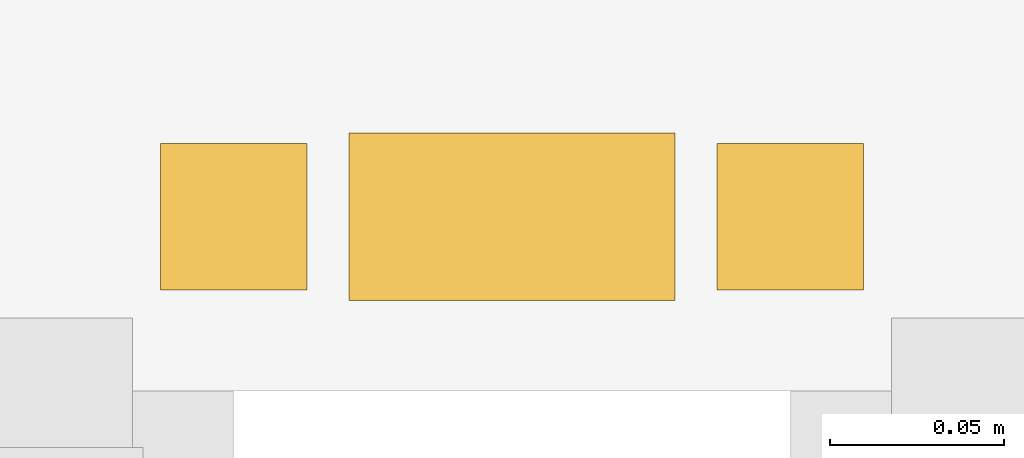
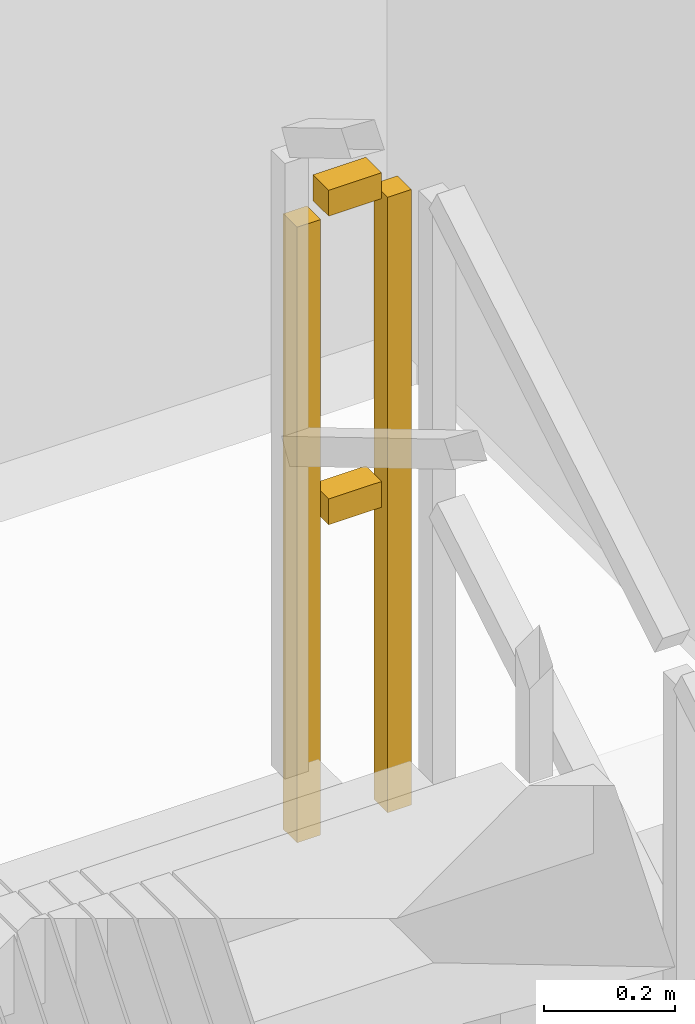
# One storey, part 17 of 17: 1 railing.
"""IFC4 building model written with IfcOpenShell, lengths in metres."""

import ifcopenshell
import ifcopenshell.guid

model = None  # the IFC model being written
_history = None  # IfcOwnerHistory: only IFC2X3 demands one
_inside = {}  # id of a spatial element -> (the spatial element, [elements in it])
_under = {}  # id of a project, library or spatial element -> (it, [spatial elements below it])
_declared = {}  # id of a project -> (the project, [libraries it declares])
_typed = {}  # id of a type object -> (the type object, [elements of that type])
_made_of = {}  # id of a material, layer set ... -> (it, [elements and type objects made of it])


def new_model(schema):
    """Start an empty IFC model of exactly this schema.

    Asked for "IFC4X3", IfcOpenShell would pick the latest addendum, in which some entities
    have other attributes; the version numbers below select the first issue.
    IFC2X3 requires an IfcOwnerHistory on every rooted entity: one is made here for all.
    """
    global model, _history
    if schema == "IFC4X3":
        model = ifcopenshell.file(schema_version=(4, 3, 0, 0))
    else:
        model = ifcopenshell.file(schema=schema)
    _inside.clear()
    _under.clear()
    _declared.clear()
    _typed.clear()
    _made_of.clear()
    _history = None
    if model.schema == "IFC2X3":
        org = make("IfcOrganization", Name="unknown")
        user = make(
            "IfcPersonAndOrganization",
            ThePerson=make("IfcPerson", FamilyName="unknown"),
            TheOrganization=org,
        )
        app = make(
            "IfcApplication",
            ApplicationDeveloper=org,
            Version="unknown",
            ApplicationFullName="unknown",
            ApplicationIdentifier="unknown",
        )
        _history = make(
            "IfcOwnerHistory",
            OwningUser=user,
            OwningApplication=app,
            ChangeAction="ADDED",
            CreationDate=0,
        )
    return model


def make(cls, **values):
    """One entity of the class cls with the attributes given. An attribute that is None is left unset."""
    return model.create_entity(
        cls, **{name: value for name, value in values.items() if value is not None}
    )


def rooted(cls, **values):
    """An entity with a GlobalId (a new one), such as an element, a storey or a relation."""
    return make(cls, GlobalId=ifcopenshell.guid.new(), OwnerHistory=_history, **values)


def si_unit(unit_type, name, prefix=None):
    """IfcSIUnit, for example si_unit("LENGTHUNIT", "METRE", prefix="MILLI")."""
    return make("IfcSIUnit", UnitType=unit_type, Prefix=prefix, Name=name)


def assignment(units):
    """IfcUnitAssignment: the units of a project."""
    return None if units is None else make("IfcUnitAssignment", Units=units)


def point(xyz):
    """IfcCartesianPoint."""
    return None if xyz is None else make("IfcCartesianPoint", Coordinates=xyz)


def direction(xyz):
    """IfcDirection."""
    return None if xyz is None else make("IfcDirection", DirectionRatios=xyz)


def frame(location, z_axis=None, x_axis=None):
    """IfcAxis2Placement3D, a coordinate frame: its origin and axes. An axis left out is left unset."""
    return make(
        "IfcAxis2Placement3D",
        Location=point(location),
        Axis=direction(z_axis),
        RefDirection=direction(x_axis),
    )


def frame_2d(location, x_axis=None):
    """IfcAxis2Placement2D, a coordinate frame in the plane: its origin and x axis."""
    return make(
        "IfcAxis2Placement2D", Location=point(location), RefDirection=direction(x_axis)
    )


def origin():
    """The frame at (0, 0, 0) with its axes left unset."""
    return frame((0.0, 0.0, 0.0))


def origin_2d():
    """The frame at (0, 0) in the plane with its x axis left unset."""
    return frame_2d((0.0, 0.0))


def place(relative_to, where):
    """IfcLocalPlacement: puts the frame where relative to a parent placement (None: the world)."""
    return make(
        "IfcLocalPlacement", PlacementRelTo=relative_to, RelativePlacement=where
    )


def context(
    kind, dimensions, precision=None, world=None, true_north=None, identifier=None
):
    """IfcGeometricRepresentationContext, for example the 3D "Model" context."""
    return make(
        "IfcGeometricRepresentationContext",
        ContextIdentifier=identifier,
        ContextType=kind,
        CoordinateSpaceDimension=dimensions,
        Precision=precision,
        WorldCoordinateSystem=world,
        TrueNorth=true_north,
    )


def subcontext(parent, identifier, kind, view, scale=None):
    """IfcGeometricRepresentationSubContext, for example "Body" below "Model"."""
    return make(
        "IfcGeometricRepresentationSubContext",
        ContextIdentifier=identifier,
        ContextType=kind,
        ParentContext=parent,
        TargetScale=scale,
        TargetView=view,
    )


def project(units=None, contexts=None):
    """IfcProject with its units and contexts."""
    return rooted(
        "IfcProject",
        Name="project",
        RepresentationContexts=contexts,
        UnitsInContext=assignment(units),
    )


def spatial(cls, under=None, at=None, **own):
    """A site, building, storey or space (cls), placed at a placement, below another one or the project."""
    s = rooted(cls, ObjectPlacement=at, **own)
    if under is not None:
        _under.setdefault(under.id(), (under, []))[1].append(s)
    return s


def profile(cls, at=None, kind="AREA", **sizes):
    """A parametric profile (cls). Its sizes go by their IFC names, for example OverallWidth=200.0."""
    return make(cls, ProfileType=kind, Position=at, **sizes)


def rectangle(**sizes):
    """IfcRectangleProfileDef."""
    return profile("IfcRectangleProfileDef", **sizes)


def extrude(swept, where, along, depth):
    """IfcExtrudedAreaSolid: the profile swept, set in the frame where, extruded along a direction by depth."""
    return make(
        "IfcExtrudedAreaSolid",
        SweptArea=swept,
        Position=where,
        ExtrudedDirection=direction(along),
        Depth=depth,
    )


def shape(context_of_items, identifier, shape_type, items):
    """IfcShapeRepresentation: the items that make up one representation, for example the "Body"."""
    return make(
        "IfcShapeRepresentation",
        ContextOfItems=context_of_items,
        RepresentationIdentifier=identifier,
        RepresentationType=shape_type,
        Items=items,
    )


def material(Name=None, Category=None):
    """IfcMaterial."""
    return make("IfcMaterial", Name=Name, Category=Category)


def made_of(thing, what):
    """Note that an element or type object is made of a material, layer set ...; save() writes the relation."""
    if what is not None:
        _made_of.setdefault(what.id(), (what, []))[1].append(thing)
    return thing


def type_object(cls, material=None, **own):
    """A type object (cls), such as IfcWallType, which elements share."""
    return made_of(rooted(cls, **own), material)


def element(
    cls,
    number,
    at=None,
    inside=None,
    cuts=None,
    type_object=None,
    material=None,
    context=None,
    identifier="Body",
    shape_type=None,
    held_by="IfcProductDefinitionShape",
    body=None,
    shapes=None,
    **own,
):
    """One element of the class cls, such as IfcWall. Its Tag is "e" and its number.

    at: its placement. inside: the storey or other place that contains it. cuts: it is an
    opening in that element (IfcRelVoidsElement). A single representation is given by context,
    identifier, shape_type and body (its items); several are given by shapes. held_by: the class
    of the entity that holds the representations. save() writes the other relations.
    """
    e = rooted(cls, Tag="e%d" % number, ObjectPlacement=at, **own)
    if body is not None:
        shapes = [shape(context, identifier, shape_type, body)]
    if shapes is not None:
        e.Representation = make(held_by, Representations=shapes)
    if inside is not None:
        _inside.setdefault(inside.id(), (inside, []))[1].append(e)
    if cuts is not None:
        rooted(
            "IfcRelVoidsElement", RelatingBuildingElement=cuts, RelatedOpeningElement=e
        )
    if type_object is not None:
        _typed.setdefault(type_object.id(), (type_object, []))[1].append(e)
    return made_of(e, material)


def aggregate(whole, parts):
    """IfcRelAggregates: a whole, such as a stair, and the parts it consists of."""
    return rooted("IfcRelAggregates", RelatingObject=whole, RelatedObjects=parts)


def save(model, path):
    """Write the relations noted so far, then the file.

    IfcRelAggregates (storeys below a building ...), IfcRelContainedInSpatialStructure (elements
    in a storey), IfcRelDefinesByType, IfcRelAssociatesMaterial and IfcRelDeclares: one each for
    every whole, place, type object, material and project.
    """
    for whole, parts in _under.values():
        aggregate(whole, parts)
    for where, things in _inside.values():
        rooted(
            "IfcRelContainedInSpatialStructure",
            RelatedElements=things,
            RelatingStructure=where,
        )
    for kind, things in _typed.values():
        rooted("IfcRelDefinesByType", RelatedObjects=things, RelatingType=kind)
    for what, things in _made_of.values():
        rooted("IfcRelAssociatesMaterial", RelatedObjects=things, RelatingMaterial=what)
    for by, libraries in _declared.values():
        rooted("IfcRelDeclares", RelatingContext=by, RelatedDefinitions=libraries)
    model.write(path)


model = new_model("IFC4")

# Units and contexts
model_context = context("Model", 3, precision=1e-05, world=origin(), true_north=direction((0.0, 1.0)))
body_context = subcontext(model_context, "Body", "Model", "MODEL_VIEW")
ifc_project = project(units=[si_unit("LENGTHUNIT", "METRE"), si_unit("AREAUNIT", "SQUARE_METRE"), si_unit("VOLUMEUNIT", "CUBIC_METRE"), si_unit("PLANEANGLEUNIT", "RADIAN"), si_unit("MASSUNIT", "GRAM", prefix="KILO")], contexts=[model_context])

# Site, building, storey
site_placement = place(None, origin())
site = spatial("IfcSite", under=ifc_project, at=site_placement, CompositionType="ELEMENT")
building_placement = place(site_placement, origin())
building = spatial("IfcBuilding", under=site, at=building_placement, Name="Saelheon Loggia Tower", CompositionType="ELEMENT")
storey_placement = place(building_placement, frame((0.0, 0.0, 22.39990234375)))
storey = spatial("IfcBuildingStorey", under=building, at=storey_placement, Name="L06", CompositionType="ELEMENT", Elevation=22.39990234375)

# Railing
ifc_material = material(Name="Galvanised Steel S275 Stairwell Guardrail", Category="steel")
railing_type = type_object("IfcRailingType", Name="Guard_StairWell_RL_STG", PredefinedType="GUARDRAIL", material=ifc_material)
railing_placement = place(storey_placement, frame((42.489990234375, 32.739990234375, 1.5)))
element("IfcRailing", 1, at=railing_placement, inside=storey, type_object=railing_type, Name="L06 ST2 stair guard 2", PredefinedType="GUARDRAIL", context=body_context, shape_type="SweptSolid", body=[
    extrude(rectangle(XDim=0.048095703125, YDim=0.048095703125, at=origin_2d()), frame((-0.033203125, 0.0, 1.17578125), z_axis=(-1.0, 0.0, 0.0), x_axis=(0.0, -1.0, 0.0)), (0.0, 0.0, 1.0), 0.093505859375),
    extrude(rectangle(XDim=0.048095703125, YDim=0.048095703125, at=origin_2d()), frame((-0.033203125, 0.0, 0.60009765625), z_axis=(-1.0, 0.0, 0.0), x_axis=(0.0, -1.0, 0.0)), (0.0, 0.0, 1.0), 0.093505859375),
    extrude(rectangle(XDim=0.0419921875, YDim=0.0419921875, at=origin_2d()), origin(), (0.0, 0.0, 1.0), 1.14794921875),
    extrude(rectangle(XDim=0.0419921875, YDim=0.0419921875, at=origin_2d()), frame((-0.159912109375, 0.0, 0.0)), (0.0, 0.0, 1.0), 1.14794921875),
])

save(model, "model.ifc")
